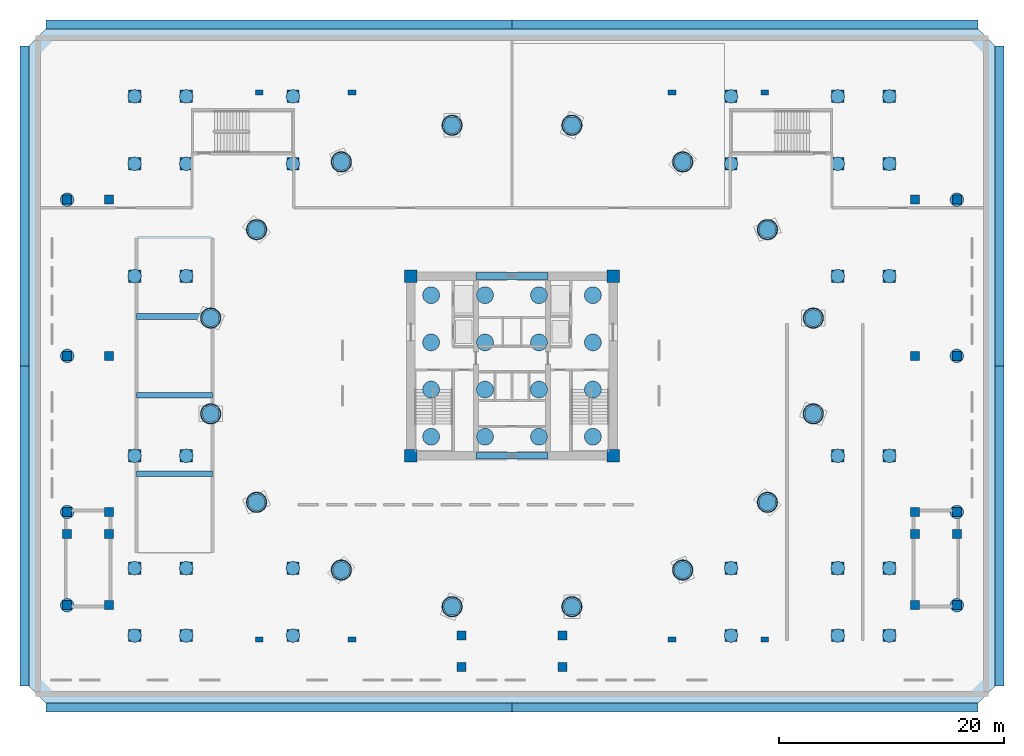
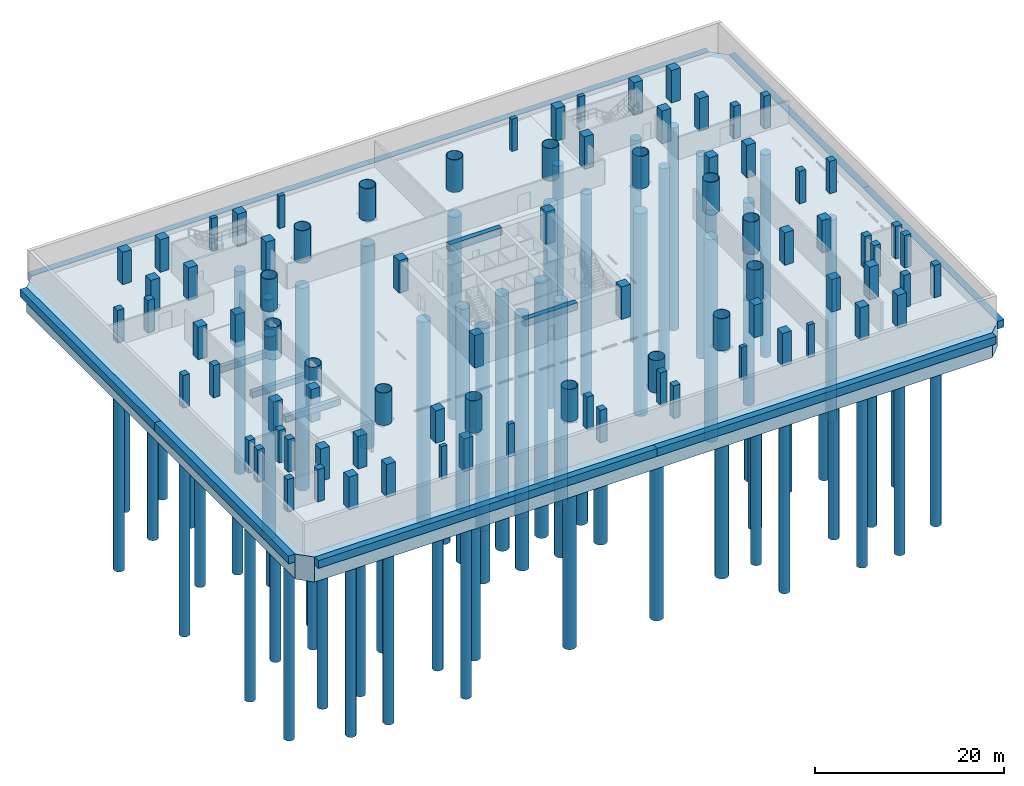
# One storey, part 1 of 11: 84 columns, 72 piles, 9 footings, 5 beams.
"""IFC4 building model written with IfcOpenShell, lengths in metres."""

from ifc_helpers import new_model, si_unit, direction, frame, origin, origin_2d, place, context, subcontext, project, spatial, polyline, rectangle, circle, hollow_circle, outline, extrude, material, material_profile, profile_set, type_object, element, save


model = new_model("IFC4")

# Units and contexts
model_context = context("Model", 3, precision=1e-05, world=origin(), true_north=direction((-0.2419218956, 0.970295726276)))
body_context = subcontext(model_context, "Body", "Model", "MODEL_VIEW")
ifc_project = project(units=[si_unit("LENGTHUNIT", "METRE"), si_unit("AREAUNIT", "SQUARE_METRE"), si_unit("VOLUMEUNIT", "CUBIC_METRE"), si_unit("PLANEANGLEUNIT", "RADIAN"), si_unit("MASSUNIT", "GRAM", prefix="KILO")], contexts=[model_context])

# Site, building, storey
site_placement = place(None, origin())
site = spatial("IfcSite", under=ifc_project, at=site_placement, CompositionType="ELEMENT")
building_placement = place(site_placement, origin())
building = spatial("IfcBuilding", under=site, at=building_placement, Name="Cobrevalo Terracotta Tower", CompositionType="ELEMENT")
storey_placement = place(building_placement, frame((0.0, 0.0, -8.39990234375)))
storey = spatial("IfcBuildingStorey", under=building, at=storey_placement, Name="B02", CompositionType="ELEMENT", Elevation=-8.39990234375)

# Piles
ifc_material_1 = material(Name="Concrete C50", Category="concrete")
ifc_material_profile_1 = material_profile(ifc_material_1, circle(Radius=0.60009765625, at=origin_2d()), Name="PILE D1200")
ifc_profile_set_1 = profile_set([ifc_material_profile_1], Name="Concrete C50")
pile_type_1 = type_object("IfcPileType", Name="Bored Pile D1200 C50", PredefinedType="BORED", material=ifc_profile_set_1)
for number, where, z_axis, x_axis, name in (
    (1, (4.39990234375, 2.800048828125, -3.35009765625), (0.0, 0.0, -1.0), (1.0, 0.0, 0.0), "Rock-socketed bored pile P033"),
    (2, (4.39990234375, 8.800048828125, -3.35009765625), (0.0, 0.0, -1.0), (1.0, 0.0, 0.0), "Rock-socketed bored pile P034"),
    (3, (4.39990234375, 18.800048828125, -3.35009765625), (0.0, 0.0, -1.0), (1.0, 0.0, 0.0), "Rock-socketed bored pile P035"),
    (4, (4.39990234375, 34.800048828125, -3.35009765625), (0.0, 0.0, -1.0), (1.0, 0.0, 0.0), "Rock-socketed bored pile P036"),
    (5, (4.39990234375, 44.800048828125, -3.35009765625), (0.0, 0.0, -1.0), (1.0, 0.0, 0.0), "Rock-socketed bored pile P037"),
    (6, (4.39990234375, 50.800048828125, -3.35009765625), (0.0, 0.0, -1.0), (1.0, 0.0, 0.0), "Rock-socketed bored pile P038"),
    (7, (9.0, 2.800048828125, -3.35009765625), (0.0, 0.0, -1.0), (1.0, 0.0, 0.0), "Rock-socketed bored pile P039"),
    (8, (9.0, 8.800048828125, -3.35009765625), (0.0, 0.0, -1.0), (1.0, 0.0, 0.0), "Rock-socketed bored pile P040"),
    (9, (9.0, 18.800048828125, -3.35009765625), (0.0, 0.0, -1.0), (1.0, 0.0, 0.0), "Rock-socketed bored pile P041"),
    (10, (9.0, 34.800048828125, -3.35009765625), (0.0, 0.0, -1.0), (1.0, 0.0, 0.0), "Rock-socketed bored pile P042"),
    (11, (9.0, 44.800048828125, -3.35009765625), (0.0, 0.0, -1.0), (1.0, 0.0, 0.0), "Rock-socketed bored pile P043"),
    (12, (9.0, 50.800048828125, -3.35009765625), (0.0, 0.0, -1.0), (1.0, 0.0, 0.0), "Rock-socketed bored pile P044"),
    (13, (18.5, 2.800048828125, -3.35009765625), (0.0, 0.0, -1.0), (1.0, 0.0, 0.0), "Rock-socketed bored pile P045"),
    (14, (18.5, 8.800048828125, -3.35009765625), (0.0, 0.0, -1.0), (1.0, 0.0, 0.0), "Rock-socketed bored pile P046"),
    (15, (18.5, 44.800048828125, -3.35009765625), (0.0, 0.0, -1.0), (1.0, 0.0, 0.0), "Rock-socketed bored pile P047"),
    (16, (18.5, 50.800048828125, -3.35009765625), (0.0, 0.0, -1.0), (1.0, 0.0, 0.0), "Rock-socketed bored pile P048"),
    (17, (57.5, 2.800048828125, -3.35009765625), (0.0, 0.0, -1.0), (1.0, 0.0, 0.0), "Rock-socketed bored pile P049"),
    (18, (57.5, 8.800048828125, -3.35009765625), (0.0, 0.0, -1.0), (1.0, 0.0, 0.0), "Rock-socketed bored pile P050"),
    (19, (57.5, 44.800048828125, -3.35009765625), (0.0, 0.0, -1.0), (1.0, 0.0, 0.0), "Rock-socketed bored pile P051"),
    (20, (57.5, 50.800048828125, -3.35009765625), (0.0, 0.0, -1.0), (1.0, 0.0, 0.0), "Rock-socketed bored pile P052"),
    (21, (67.0, 2.800048828125, -3.35009765625), (0.0, 0.0, -1.0), (1.0, 0.0, 0.0), "Rock-socketed bored pile P053"),
    (22, (67.0, 8.800048828125, -3.35009765625), (0.0, 0.0, -1.0), (1.0, 0.0, 0.0), "Rock-socketed bored pile P054"),
    (23, (67.0, 18.800048828125, -3.35009765625), (0.0, 0.0, -1.0), (1.0, 0.0, 0.0), "Rock-socketed bored pile P055"),
    (24, (67.0, 34.800048828125, -3.35009765625), (0.0, 0.0, -1.0), (1.0, 0.0, 0.0), "Rock-socketed bored pile P056"),
    (25, (67.0, 44.800048828125, -3.35009765625), (0.0, 0.0, -1.0), (1.0, 0.0, 0.0), "Rock-socketed bored pile P057"),
    (26, (67.0, 50.800048828125, -3.35009765625), (0.0, 0.0, -1.0), (1.0, 0.0, 0.0), "Rock-socketed bored pile P058"),
    (27, (71.60009765625, 2.800048828125, -3.35009765625), (0.0, 0.0, -1.0), (1.0, 0.0, 0.0), "Rock-socketed bored pile P059"),
    (28, (71.60009765625, 8.800048828125, -3.35009765625), (0.0, 0.0, -1.0), (1.0, 0.0, 0.0), "Rock-socketed bored pile P060"),
    (29, (71.60009765625, 18.800048828125, -3.35009765625), (0.0, 0.0, -1.0), (1.0, 0.0, 0.0), "Rock-socketed bored pile P061"),
    (30, (71.60009765625, 34.800048828125, -3.35009765625), (0.0, 0.0, -1.0), (1.0, 0.0, 0.0), "Rock-socketed bored pile P062"),
    (31, (71.60009765625, 44.800048828125, -3.35009765625), (0.0, 0.0, -1.0), (1.0, 0.0, 0.0), "Rock-socketed bored pile P063"),
    (32, (71.60009765625, 50.800048828125, -3.35009765625), (0.0, 0.0, -1.0), (1.0, 0.0, 0.0), "Rock-socketed bored pile P064"),
    (33, (-1.60009765625, 5.5, -3.35009765625), (0.0, 0.0, -1.0), (1.0, 0.0, 0.0), "Rock-socketed bored pile P065"),
    (34, (-1.60009765625, 13.800048828125, -3.35009765625), (0.0, 0.0, -1.0), (1.0, 0.0, 0.0), "Rock-socketed bored pile P066"),
    (35, (-1.60009765625, 27.699951171875, -3.35009765625), (0.0, 0.0, -1.0), (1.0, 0.0, 0.0), "Rock-socketed bored pile P067"),
    (36, (-1.60009765625, 41.60009765625, -3.35009765625), (0.0, 0.0, -1.0), (1.0, 0.0, 0.0), "Rock-socketed bored pile P068"),
    (37, (77.60009765625, 5.5, -3.35009765625), (0.0, 0.0, -1.0), (1.0, 0.0, 0.0), "Rock-socketed bored pile P069"),
    (38, (77.60009765625, 13.800048828125, -3.35009765625), (0.0, 0.0, -1.0), (1.0, 0.0, 0.0), "Rock-socketed bored pile P070"),
    (39, (77.60009765625, 27.699951171875, -3.35009765625), (0.0, 0.0, -1.0), (1.0, 0.0, 0.0), "Rock-socketed bored pile P071"),
    (40, (77.60009765625, 41.60009765625, -3.35009765625), (0.0, 0.0, -1.0), (1.0, 0.0, 0.0), "Rock-socketed bored pile P072"),
):
    element("IfcPile", number, at=place(storey_placement, frame(where, z_axis=z_axis, x_axis=x_axis)), inside=storey, type_object=pile_type_1, Name=name, PredefinedType="BORED", context=body_context, shape_type="SweptSolid", body=[
        extrude(circle(Radius=0.60009765625, at=origin_2d()), origin(), (0.0, 0.0, 1.0), 26.25),
    ])
ifc_material_profile_2 = material_profile(ifc_material_1, circle(Radius=0.75, at=origin_2d()), Name="PILE D1500")
ifc_profile_set_2 = profile_set([ifc_material_profile_2], Name="Concrete C50")
pile_type_2 = type_object("IfcPileType", Name="Bored Pile D1500 C50", PredefinedType="BORED", material=ifc_profile_set_2)
for number, where, z_axis, x_axis, name in (
    (41, (30.800048828125, 20.5, -3.35009765625), (0.0, 0.0, -1.0), (1.0, 0.0, 0.0), "Rock-socketed bored pile P001"),
    (42, (30.800048828125, 24.699951171875, -3.35009765625), (0.0, 0.0, -1.0), (1.0, 0.0, 0.0), "Rock-socketed bored pile P002"),
    (43, (30.800048828125, 28.89990234375, -3.35009765625), (0.0, 0.0, -1.0), (1.0, 0.0, 0.0), "Rock-socketed bored pile P003"),
    (44, (30.800048828125, 33.10009765625, -3.35009765625), (0.0, 0.0, -1.0), (1.0, 0.0, 0.0), "Rock-socketed bored pile P004"),
    (45, (35.60009765625, 20.5, -3.35009765625), (0.0, 0.0, -1.0), (1.0, 0.0, 0.0), "Rock-socketed bored pile P005"),
    (46, (35.60009765625, 24.699951171875, -3.35009765625), (0.0, 0.0, -1.0), (1.0, 0.0, 0.0), "Rock-socketed bored pile P006"),
    (47, (35.60009765625, 28.89990234375, -3.35009765625), (0.0, 0.0, -1.0), (1.0, 0.0, 0.0), "Rock-socketed bored pile P007"),
    (48, (35.60009765625, 33.10009765625, -3.35009765625), (0.0, 0.0, -1.0), (1.0, 0.0, 0.0), "Rock-socketed bored pile P008"),
    (49, (40.39990234375, 20.5, -3.35009765625), (0.0, 0.0, -1.0), (1.0, 0.0, 0.0), "Rock-socketed bored pile P009"),
    (50, (40.39990234375, 24.699951171875, -3.35009765625), (0.0, 0.0, -1.0), (1.0, 0.0, 0.0), "Rock-socketed bored pile P010"),
    (51, (40.39990234375, 28.89990234375, -3.35009765625), (0.0, 0.0, -1.0), (1.0, 0.0, 0.0), "Rock-socketed bored pile P011"),
    (52, (40.39990234375, 33.10009765625, -3.35009765625), (0.0, 0.0, -1.0), (1.0, 0.0, 0.0), "Rock-socketed bored pile P012"),
    (53, (45.199951171875, 20.5, -3.35009765625), (0.0, 0.0, -1.0), (1.0, 0.0, 0.0), "Rock-socketed bored pile P013"),
    (54, (45.199951171875, 24.699951171875, -3.35009765625), (0.0, 0.0, -1.0), (1.0, 0.0, 0.0), "Rock-socketed bored pile P014"),
    (55, (45.199951171875, 28.89990234375, -3.35009765625), (0.0, 0.0, -1.0), (1.0, 0.0, 0.0), "Rock-socketed bored pile P015"),
    (56, (45.199951171875, 33.10009765625, -3.35009765625), (0.0, 0.0, -1.0), (1.0, 0.0, 0.0), "Rock-socketed bored pile P016"),
    (57, (64.824462890625, 31.062744140625, -3.35009765625), (0.0, 0.0, -1.0), (1.0, 0.0, 0.0), "Rock-socketed bored pile P017"),
    (58, (60.74072265625, 38.939208984375, -3.35009765625), (0.0, 0.0, -1.0), (1.0, 0.0, 0.0), "Rock-socketed bored pile P018"),
    (59, (53.19482421875, 44.967529296875, -3.35009765625), (0.0, 0.0, -1.0), (1.0, 0.0, 0.0), "Rock-socketed bored pile P019"),
    (60, (43.335693359375, 48.230224609375, -3.35009765625), (0.0, 0.0, -1.0), (1.0, 0.0, 0.0), "Rock-socketed bored pile P020"),
    (61, (32.664306640625, 48.230224609375, -3.35009765625), (0.0, 0.0, -1.0), (1.0, 0.0, 0.0), "Rock-socketed bored pile P021"),
    (62, (22.80517578125, 44.967529296875, -3.35009765625), (0.0, 0.0, -1.0), (1.0, 0.0, 0.0), "Rock-socketed bored pile P022"),
    (63, (15.25927734375, 38.939208984375, -3.35009765625), (0.0, 0.0, -1.0), (1.0, 0.0, 0.0), "Rock-socketed bored pile P023"),
    (64, (11.175537109375, 31.062744140625, -3.35009765625), (0.0, 0.0, -1.0), (1.0, 0.0, 0.0), "Rock-socketed bored pile P024"),
    (65, (11.175537109375, 22.537353515625, -3.35009765625), (0.0, 0.0, -1.0), (1.0, 0.0, 0.0), "Rock-socketed bored pile P025"),
    (66, (15.25927734375, 14.660888671875, -3.35009765625), (0.0, 0.0, -1.0), (1.0, 0.0, 0.0), "Rock-socketed bored pile P026"),
    (67, (22.80517578125, 8.63232421875, -3.35009765625), (0.0, 0.0, -1.0), (1.0, 0.0, 0.0), "Rock-socketed bored pile P027"),
    (68, (32.664306640625, 5.369873046875, -3.35009765625), (0.0, 0.0, -1.0), (1.0, 0.0, 0.0), "Rock-socketed bored pile P028"),
    (69, (43.335693359375, 5.369873046875, -3.35009765625), (0.0, 0.0, -1.0), (1.0, 0.0, 0.0), "Rock-socketed bored pile P029"),
    (70, (53.19482421875, 8.63232421875, -3.35009765625), (0.0, 0.0, -1.0), (1.0, 0.0, 0.0), "Rock-socketed bored pile P030"),
    (71, (60.74072265625, 14.660888671875, -3.35009765625), (0.0, 0.0, -1.0), (1.0, 0.0, 0.0), "Rock-socketed bored pile P031"),
    (72, (64.824462890625, 22.537353515625, -3.35009765625), (0.0, 0.0, -1.0), (1.0, 0.0, 0.0), "Rock-socketed bored pile P032"),
):
    element("IfcPile", number, at=place(storey_placement, frame(where, z_axis=z_axis, x_axis=x_axis)), inside=storey, type_object=pile_type_2, Name=name, PredefinedType="BORED", context=body_context, shape_type="SweptSolid", body=[
        extrude(circle(Radius=0.75, at=origin_2d()), origin(), (0.0, 0.0, 1.0), 26.25),
    ])

# Footings
footing_type_1 = type_object("IfcFootingType", Name="Perimeter Ground Tie Beam 800x1000", PredefinedType="FOOTING_BEAM", material=ifc_material_1)
footing_1_placement = place(storey_placement, frame((0.0, 0.0, -1.25)))
element("IfcFooting", 73, at=footing_1_placement, inside=storey, type_object=footing_type_1, Name="Perimeter tie ground beam GB-S1", PredefinedType="FOOTING_BEAM", context=body_context, shape_type="SweptSolid", body=[
    extrude(outline(polyline([(-3.5, -4.0), (38.0, -4.0), (38.0, -3.199951171875), (-3.5, -3.199951171875), (-3.5, -4.0)])), origin(), (0.0, 0.0, 1.0), 1.0),
])
footing_2_placement = place(storey_placement, frame((0.0, 0.0, -1.25)))
element("IfcFooting", 74, at=footing_2_placement, inside=storey, type_object=footing_type_1, Name="Perimeter tie ground beam GB-S2", PredefinedType="FOOTING_BEAM", context=body_context, shape_type="SweptSolid", body=[
    extrude(outline(polyline([(38.0, -4.0), (79.5, -4.0), (79.5, -3.199951171875), (38.0, -3.199951171875), (38.0, -4.0)])), origin(), (0.0, 0.0, 1.0), 1.0),
])
footing_3_placement = place(storey_placement, frame((0.0, 0.0, -1.25)))
element("IfcFooting", 75, at=footing_3_placement, inside=storey, type_object=footing_type_1, Name="Perimeter tie ground beam GB-N1", PredefinedType="FOOTING_BEAM", context=body_context, shape_type="SweptSolid", body=[
    extrude(outline(polyline([(-3.5, 56.800048828125), (38.0, 56.800048828125), (38.0, 57.60009765625), (-3.5, 57.60009765625), (-3.5, 56.800048828125)])), origin(), (0.0, 0.0, 1.0), 1.0),
])
footing_4_placement = place(storey_placement, frame((0.0, 0.0, -1.25)))
element("IfcFooting", 76, at=footing_4_placement, inside=storey, type_object=footing_type_1, Name="Perimeter tie ground beam GB-N2", PredefinedType="FOOTING_BEAM", context=body_context, shape_type="SweptSolid", body=[
    extrude(outline(polyline([(38.0, 56.800048828125), (79.5, 56.800048828125), (79.5, 57.60009765625), (38.0, 57.60009765625), (38.0, 56.800048828125)])), origin(), (0.0, 0.0, 1.0), 1.0),
])
footing_5_placement = place(storey_placement, frame((0.0, 0.0, -1.25)))
element("IfcFooting", 77, at=footing_5_placement, inside=storey, type_object=footing_type_1, Name="Perimeter tie ground beam GB-W1", PredefinedType="FOOTING_BEAM", context=body_context, shape_type="SweptSolid", body=[
    extrude(outline(polyline([(-5.800048828125, -1.699951171875), (-5.0, -1.699951171875), (-5.0, 26.800048828125), (-5.800048828125, 26.800048828125), (-5.800048828125, -1.699951171875)])), origin(), (0.0, 0.0, 1.0), 1.0),
])
footing_6_placement = place(storey_placement, frame((0.0, 0.0, -1.25)))
element("IfcFooting", 78, at=footing_6_placement, inside=storey, type_object=footing_type_1, Name="Perimeter tie ground beam GB-W2", PredefinedType="FOOTING_BEAM", context=body_context, shape_type="SweptSolid", body=[
    extrude(outline(polyline([(-5.800048828125, 26.800048828125), (-5.0, 26.800048828125), (-5.0, 55.300048828125), (-5.800048828125, 55.300048828125), (-5.800048828125, 26.800048828125)])), origin(), (0.0, 0.0, 1.0), 1.0),
])
footing_7_placement = place(storey_placement, frame((0.0, 0.0, -1.25)))
element("IfcFooting", 79, at=footing_7_placement, inside=storey, type_object=footing_type_1, Name="Perimeter tie ground beam GB-E1", PredefinedType="FOOTING_BEAM", context=body_context, shape_type="SweptSolid", body=[
    extrude(outline(polyline([(81.0, -1.699951171875), (81.800048828125, -1.699951171875), (81.800048828125, 26.800048828125), (81.0, 26.800048828125), (81.0, -1.699951171875)])), origin(), (0.0, 0.0, 1.0), 1.0),
])
footing_8_placement = place(storey_placement, frame((0.0, 0.0, -1.25)))
element("IfcFooting", 80, at=footing_8_placement, inside=storey, type_object=footing_type_1, Name="Perimeter tie ground beam GB-E2", PredefinedType="FOOTING_BEAM", context=body_context, shape_type="SweptSolid", body=[
    extrude(outline(polyline([(81.0, 26.800048828125), (81.800048828125, 26.800048828125), (81.800048828125, 55.300048828125), (81.0, 55.300048828125), (81.0, 26.800048828125)])), origin(), (0.0, 0.0, 1.0), 1.0),
])
footing_type_2 = type_object("IfcFootingType", Name="Piled Raft Foundation 3250", PredefinedType="PILE_CAP", material=ifc_material_1)
footing_9_placement = place(storey_placement, frame((0.0, 0.0, -3.5)))
element("IfcFooting", 81, at=footing_9_placement, inside=storey, type_object=footing_type_2, Name="Monolithic piled raft foundation B02", PredefinedType="PILE_CAP", context=body_context, shape_type="SweptSolid", body=[
    extrude(outline(polyline([(-3.5, -3.199951171875), (79.5, -3.199951171875), (81.0, -1.699951171875), (81.0, 55.300048828125), (79.5, 56.800048828125), (-3.5, 56.800048828125), (-5.0, 55.300048828125), (-5.0, -1.699951171875), (-3.5, -3.199951171875)])), origin(), (0.0, 0.0, 1.0), 3.25),
])

# Columns
ifc_material_2 = material(Name="Steel S355", Category="steel")
ifc_material_profile_3 = material_profile(ifc_material_2, hollow_circle(Radius=0.89990234375, WallThickness=0.054931640625, at=origin_2d()), Name="CHS 1800x55")
ifc_profile_set_3 = profile_set([ifc_material_profile_3], Name="Steel S355")
column_type_1 = type_object("IfcColumnType", Name="Structural Column CHS 1800x55 (Steel S355)", PredefinedType="COLUMN", material=ifc_profile_set_3)
for number, where, z_axis, x_axis, name in (
    (82, (64.824462890625, 31.062744140625, 0.0), (0.0, 0.0, 1.0), (1.0, 0.0, 0.0), "B02 composite megacolumn MC01"),
    (83, (60.74072265625, 38.939208984375, 0.0), (0.0, 0.0, 1.0), (1.0, 0.0, 0.0), "B02 composite megacolumn MC02"),
    (84, (53.19482421875, 44.967529296875, 0.0), (0.0, 0.0, 1.0), (1.0, 0.0, 0.0), "B02 composite megacolumn MC03"),
    (85, (43.335693359375, 48.230224609375, 0.0), (0.0, 0.0, 1.0), (1.0, 0.0, 0.0), "B02 composite megacolumn MC04"),
    (86, (32.664306640625, 48.230224609375, 0.0), (0.0, 0.0, 1.0), (1.0, 0.0, 0.0), "B02 composite megacolumn MC05"),
    (87, (22.80517578125, 44.967529296875, 0.0), (0.0, 0.0, 1.0), (1.0, 0.0, 0.0), "B02 composite megacolumn MC06"),
    (88, (15.25927734375, 38.939208984375, 0.0), (0.0, 0.0, 1.0), (1.0, 0.0, 0.0), "B02 composite megacolumn MC07"),
    (89, (11.175537109375, 31.062744140625, 0.0), (0.0, 0.0, 1.0), (1.0, 0.0, 0.0), "B02 composite megacolumn MC08"),
    (90, (11.175537109375, 22.537353515625, 0.0), (0.0, 0.0, 1.0), (1.0, 0.0, 0.0), "B02 composite megacolumn MC09"),
    (91, (15.25927734375, 14.660888671875, 0.0), (0.0, 0.0, 1.0), (1.0, 0.0, 0.0), "B02 composite megacolumn MC10"),
    (92, (22.80517578125, 8.63232421875, 0.0), (0.0, 0.0, 1.0), (1.0, 0.0, 0.0), "B02 composite megacolumn MC11"),
    (93, (32.664306640625, 5.369873046875, 0.0), (0.0, 0.0, 1.0), (1.0, 0.0, 0.0), "B02 composite megacolumn MC12"),
    (94, (43.335693359375, 5.369873046875, 0.0), (0.0, 0.0, 1.0), (1.0, 0.0, 0.0), "B02 composite megacolumn MC13"),
    (95, (53.19482421875, 8.63232421875, 0.0), (0.0, 0.0, 1.0), (1.0, 0.0, 0.0), "B02 composite megacolumn MC14"),
    (96, (60.74072265625, 14.660888671875, 0.0), (0.0, 0.0, 1.0), (1.0, 0.0, 0.0), "B02 composite megacolumn MC15"),
    (97, (64.824462890625, 22.537353515625, 0.0), (0.0, 0.0, 1.0), (1.0, 0.0, 0.0), "B02 composite megacolumn MC16"),
):
    element("IfcColumn", number, at=place(storey_placement, frame(where, z_axis=z_axis, x_axis=x_axis)), inside=storey, type_object=column_type_1, Name=name, PredefinedType="COLUMN", context=body_context, shape_type="SweptSolid", body=[
        extrude(hollow_circle(Radius=0.89990234375, WallThickness=0.054931640625, at=origin_2d()), origin(), (0.0, 0.0, 1.0), 4.199951171875),
    ])
ifc_material_3 = material(Name="Concrete C60", Category="concrete")
ifc_material_profile_4 = material_profile(ifc_material_3, rectangle(XDim=1.10009765625, YDim=1.10009765625, at=origin_2d()), Name="RC COL 1100x1100")
ifc_profile_set_4 = profile_set([ifc_material_profile_4], Name="Concrete C60")
column_type_2 = type_object("IfcColumnType", Name="Structural Column RC COL 1100x1100 (Concrete C60)", PredefinedType="COLUMN", material=ifc_profile_set_4)
for number, where, z_axis, x_axis, name in (
    (98, (29.0, 18.800048828125, 0.0), (0.0, 0.0, 1.0), (1.0, 0.0, 0.0), "B02 core corner column CC1"),
    (99, (47.0, 18.800048828125, 0.0), (0.0, 0.0, 1.0), (1.0, 0.0, 0.0), "B02 core corner column CC2"),
    (100, (47.0, 34.800048828125, 0.0), (0.0, 0.0, 1.0), (1.0, 0.0, 0.0), "B02 core corner column CC3"),
    (101, (29.0, 34.800048828125, 0.0), (0.0, 0.0, 1.0), (1.0, 0.0, 0.0), "B02 core corner column CC4"),
    (102, (4.39990234375, 2.800048828125, 0.0), (0.0, 0.0, 1.0), (1.0, 0.0, 0.0), "B02 podium column G1-GA"),
    (103, (4.39990234375, 8.800048828125, 0.0), (0.0, 0.0, 1.0), (1.0, 0.0, 0.0), "B02 podium column G1-GB"),
    (104, (4.39990234375, 18.800048828125, 0.0), (0.0, 0.0, 1.0), (1.0, 0.0, 0.0), "B02 podium column G1-GC"),
    (105, (4.39990234375, 34.800048828125, 0.0), (0.0, 0.0, 1.0), (1.0, 0.0, 0.0), "B02 podium column G1-GE"),
    (106, (4.39990234375, 44.800048828125, 0.0), (0.0, 0.0, 1.0), (1.0, 0.0, 0.0), "B02 podium column G1-GF"),
    (107, (4.39990234375, 50.800048828125, 0.0), (0.0, 0.0, 1.0), (1.0, 0.0, 0.0), "B02 podium column G1-GG"),
    (108, (9.0, 2.800048828125, 0.0), (0.0, 0.0, 1.0), (1.0, 0.0, 0.0), "B02 podium column G2-GA"),
    (109, (9.0, 8.800048828125, 0.0), (0.0, 0.0, 1.0), (1.0, 0.0, 0.0), "B02 podium column G2-GB"),
    (110, (9.0, 18.800048828125, 0.0), (0.0, 0.0, 1.0), (1.0, 0.0, 0.0), "B02 podium column G2-GC"),
    (111, (9.0, 34.800048828125, 0.0), (0.0, 0.0, 1.0), (1.0, 0.0, 0.0), "B02 podium column G2-GE"),
    (112, (9.0, 44.800048828125, 0.0), (0.0, 0.0, 1.0), (1.0, 0.0, 0.0), "B02 podium column G2-GF"),
    (113, (9.0, 50.800048828125, 0.0), (0.0, 0.0, 1.0), (1.0, 0.0, 0.0), "B02 podium column G2-GG"),
    (114, (18.5, 2.800048828125, 0.0), (0.0, 0.0, 1.0), (1.0, 0.0, 0.0), "B02 podium column G3-GA"),
    (115, (18.5, 8.800048828125, 0.0), (0.0, 0.0, 1.0), (1.0, 0.0, 0.0), "B02 podium column G3-GB"),
    (116, (18.5, 44.800048828125, 0.0), (0.0, 0.0, 1.0), (1.0, 0.0, 0.0), "B02 podium column G3-GF"),
    (117, (18.5, 50.800048828125, 0.0), (0.0, 0.0, 1.0), (1.0, 0.0, 0.0), "B02 podium column G3-GG"),
    (118, (57.5, 2.800048828125, 0.0), (0.0, 0.0, 1.0), (1.0, 0.0, 0.0), "B02 podium column G7-GA"),
    (119, (57.5, 8.800048828125, 0.0), (0.0, 0.0, 1.0), (1.0, 0.0, 0.0), "B02 podium column G7-GB"),
    (120, (57.5, 44.800048828125, 0.0), (0.0, 0.0, 1.0), (1.0, 0.0, 0.0), "B02 podium column G7-GF"),
    (121, (57.5, 50.800048828125, 0.0), (0.0, 0.0, 1.0), (1.0, 0.0, 0.0), "B02 podium column G7-GG"),
    (122, (67.0, 2.800048828125, 0.0), (0.0, 0.0, 1.0), (1.0, 0.0, 0.0), "B02 podium column G8-GA"),
    (123, (67.0, 8.800048828125, 0.0), (0.0, 0.0, 1.0), (1.0, 0.0, 0.0), "B02 podium column G8-GB"),
    (124, (67.0, 18.800048828125, 0.0), (0.0, 0.0, 1.0), (1.0, 0.0, 0.0), "B02 podium column G8-GC"),
    (125, (67.0, 34.800048828125, 0.0), (0.0, 0.0, 1.0), (1.0, 0.0, 0.0), "B02 podium column G8-GE"),
    (126, (67.0, 44.800048828125, 0.0), (0.0, 0.0, 1.0), (1.0, 0.0, 0.0), "B02 podium column G8-GF"),
    (127, (67.0, 50.800048828125, 0.0), (0.0, 0.0, 1.0), (1.0, 0.0, 0.0), "B02 podium column G8-GG"),
    (128, (71.60009765625, 2.800048828125, 0.0), (0.0, 0.0, 1.0), (1.0, 0.0, 0.0), "B02 podium column G9-GA"),
    (129, (71.60009765625, 8.800048828125, 0.0), (0.0, 0.0, 1.0), (1.0, 0.0, 0.0), "B02 podium column G9-GB"),
    (130, (71.60009765625, 18.800048828125, 0.0), (0.0, 0.0, 1.0), (1.0, 0.0, 0.0), "B02 podium column G9-GC"),
    (131, (71.60009765625, 34.800048828125, 0.0), (0.0, 0.0, 1.0), (1.0, 0.0, 0.0), "B02 podium column G9-GE"),
    (132, (71.60009765625, 44.800048828125, 0.0), (0.0, 0.0, 1.0), (1.0, 0.0, 0.0), "B02 podium column G9-GF"),
    (133, (71.60009765625, 50.800048828125, 0.0), (0.0, 0.0, 1.0), (1.0, 0.0, 0.0), "B02 podium column G9-GG"),
):
    element("IfcColumn", number, at=place(storey_placement, frame(where, z_axis=z_axis, x_axis=x_axis)), inside=storey, type_object=column_type_2, Name=name, PredefinedType="COLUMN", context=body_context, shape_type="SweptSolid", body=[
        extrude(rectangle(XDim=1.10009765625, YDim=1.10009765625, at=origin_2d()), origin(), (0.0, 0.0, 1.0), 4.199951171875),
    ])
ifc_material_profile_5 = material_profile(ifc_material_1, rectangle(XDim=0.800048828125, YDim=0.800048828125, at=origin_2d()), Name="RC COL 800x800")
ifc_profile_set_5 = profile_set([ifc_material_profile_5], Name="Concrete C50")
column_type_3 = type_object("IfcColumnType", Name="Structural Column RC COL 800x800 (Concrete C50)", PredefinedType="COLUMN", material=ifc_profile_set_5)
for number, where, z_axis, x_axis, name in (
    (134, (-1.60009765625, 5.5, 0.0), (0.0, 0.0, 1.0), (1.0, 0.0, 0.0), "B02 garden wing column W11"),
    (135, (2.1201171875, 5.5, 0.0), (0.0, 0.0, 1.0), (1.0, 0.0, 0.0), "B02 garden wing column W21"),
    (136, (-1.60009765625, 11.85009765625, 0.0), (0.0, 0.0, 1.0), (1.0, 0.0, 0.0), "B02 garden wing column W12"),
    (137, (2.1201171875, 11.85009765625, 0.0), (0.0, 0.0, 1.0), (1.0, 0.0, 0.0), "B02 garden wing column W22"),
    (138, (-1.60009765625, 13.800048828125, 0.0), (0.0, 0.0, 1.0), (1.0, 0.0, 0.0), "B02 garden wing column W13"),
    (139, (2.1201171875, 13.800048828125, 0.0), (0.0, 0.0, 1.0), (1.0, 0.0, 0.0), "B02 garden wing column W23"),
    (140, (-1.60009765625, 27.699951171875, 0.0), (0.0, 0.0, 1.0), (1.0, 0.0, 0.0), "B02 garden wing column W14"),
    (141, (2.1201171875, 27.699951171875, 0.0), (0.0, 0.0, 1.0), (1.0, 0.0, 0.0), "B02 garden wing column W24"),
    (142, (-1.60009765625, 41.60009765625, 0.0), (0.0, 0.0, 1.0), (1.0, 0.0, 0.0), "B02 garden wing column W15"),
    (143, (2.1201171875, 41.60009765625, 0.0), (0.0, 0.0, 1.0), (1.0, 0.0, 0.0), "B02 garden wing column W25"),
    (144, (73.8798828125, 5.5, 0.0), (0.0, 0.0, 1.0), (1.0, 0.0, 0.0), "B02 garden wing column E11"),
    (145, (77.60009765625, 5.5, 0.0), (0.0, 0.0, 1.0), (1.0, 0.0, 0.0), "B02 garden wing column E21"),
    (146, (73.8798828125, 11.85009765625, 0.0), (0.0, 0.0, 1.0), (1.0, 0.0, 0.0), "B02 garden wing column E12"),
    (147, (77.60009765625, 11.85009765625, 0.0), (0.0, 0.0, 1.0), (1.0, 0.0, 0.0), "B02 garden wing column E22"),
    (148, (73.8798828125, 13.800048828125, 0.0), (0.0, 0.0, 1.0), (1.0, 0.0, 0.0), "B02 garden wing column E13"),
    (149, (77.60009765625, 13.800048828125, 0.0), (0.0, 0.0, 1.0), (1.0, 0.0, 0.0), "B02 garden wing column E23"),
    (150, (73.8798828125, 27.699951171875, 0.0), (0.0, 0.0, 1.0), (1.0, 0.0, 0.0), "B02 garden wing column E14"),
    (151, (77.60009765625, 27.699951171875, 0.0), (0.0, 0.0, 1.0), (1.0, 0.0, 0.0), "B02 garden wing column E24"),
    (152, (73.8798828125, 41.60009765625, 0.0), (0.0, 0.0, 1.0), (1.0, 0.0, 0.0), "B02 garden wing column E15"),
    (153, (77.60009765625, 41.60009765625, 0.0), (0.0, 0.0, 1.0), (1.0, 0.0, 0.0), "B02 garden wing column E25"),
    (154, (33.5, 0.0, 0.0), (0.0, 0.0, 1.0), (1.0, 0.0, 0.0), "B02 main entrance portal canopy column F1"),
    (155, (33.5, 2.800048828125, 0.0), (0.0, 0.0, 1.0), (1.0, 0.0, 0.0), "B02 main entrance portal canopy column R1"),
    (156, (42.5, 0.0, 0.0), (0.0, 0.0, 1.0), (1.0, 0.0, 0.0), "B02 main entrance portal canopy column F2"),
    (157, (42.5, 2.800048828125, 0.0), (0.0, 0.0, 1.0), (1.0, 0.0, 0.0), "B02 main entrance portal canopy column R2"),
):
    element("IfcColumn", number, at=place(storey_placement, frame(where, z_axis=z_axis, x_axis=x_axis)), inside=storey, type_object=column_type_3, Name=name, PredefinedType="COLUMN", context=body_context, shape_type="SweptSolid", body=[
        extrude(rectangle(XDim=0.800048828125, YDim=0.800048828125, at=origin_2d()), origin(), (0.0, 0.0, 1.0), 4.199951171875),
    ])
ifc_material_profile_6 = material_profile(ifc_material_1, rectangle(XDim=0.699951171875, YDim=0.449951171875, at=origin_2d()), Name="RC PIL 700x450")
ifc_profile_set_6 = profile_set([ifc_material_profile_6], Name="Concrete C50")
column_type_4 = type_object("IfcColumnType", Name="Structural Pilaster RC PIL 700x450 (Concrete C50)", PredefinedType="PILASTER", material=ifc_profile_set_6)
for number, where, z_axis, x_axis, name in (
    (158, (15.5, 2.449951171875, 0.0), (0.0, 0.0, 1.0), (1.0, 0.0, 0.0), "B02 brutalist perimeter pilaster S1"),
    (159, (15.5, 51.14990234375, 0.0), (0.0, 0.0, 1.0), (1.0, 0.0, 0.0), "B02 brutalist perimeter pilaster N1"),
    (160, (23.75, 2.449951171875, 0.0), (0.0, 0.0, 1.0), (1.0, 0.0, 0.0), "B02 brutalist perimeter pilaster S2"),
    (161, (23.75, 51.14990234375, 0.0), (0.0, 0.0, 1.0), (1.0, 0.0, 0.0), "B02 brutalist perimeter pilaster N2"),
    (162, (52.25, 2.449951171875, 0.0), (0.0, 0.0, 1.0), (1.0, 0.0, 0.0), "B02 brutalist perimeter pilaster S3"),
    (163, (52.25, 51.14990234375, 0.0), (0.0, 0.0, 1.0), (1.0, 0.0, 0.0), "B02 brutalist perimeter pilaster N3"),
    (164, (60.5, 2.449951171875, 0.0), (0.0, 0.0, 1.0), (1.0, 0.0, 0.0), "B02 brutalist perimeter pilaster S4"),
    (165, (60.5, 51.14990234375, 0.0), (0.0, 0.0, 1.0), (1.0, 0.0, 0.0), "B02 brutalist perimeter pilaster N4"),
):
    element("IfcColumn", number, at=place(storey_placement, frame(where, z_axis=z_axis, x_axis=x_axis)), inside=storey, type_object=column_type_4, Name=name, PredefinedType="PILASTER", context=body_context, shape_type="SweptSolid", body=[
        extrude(rectangle(XDim=0.699951171875, YDim=0.449951171875, at=origin_2d()), origin(), (0.0, 0.0, 1.0), 4.199951171875),
    ])

# Beams
ifc_material_profile_7 = material_profile(ifc_material_3, rectangle(XDim=0.60009765625, YDim=0.89990234375, at=origin_2d()), Name="RC CB 600x900")
ifc_profile_set_7 = profile_set([ifc_material_profile_7], Name="Concrete C60")
beam_type_1 = type_object("IfcBeamType", Name="Structural Beam RC CB 600x900 (Concrete C60)", PredefinedType="BEAM", material=ifc_profile_set_7)
for number, where, z_axis, x_axis, name in (
    (166, (34.800048828125, 18.800048828125, 3.429931640625), (1.0, 0.0, 0.0), (0.0, 1.0, 0.0), "B02 core coupling beam 1"),
    (167, (34.800048828125, 34.800048828125, 3.429931640625), (1.0, 0.0, 0.0), (0.0, 1.0, 0.0), "B02 core coupling beam 2"),
):
    element("IfcBeam", number, at=place(storey_placement, frame(where, z_axis=z_axis, x_axis=x_axis)), inside=storey, type_object=beam_type_1, Name=name, PredefinedType="BEAM", context=body_context, shape_type="SweptSolid", body=[
        extrude(rectangle(XDim=0.60009765625, YDim=0.89990234375, at=origin_2d()), origin(), (0.0, 0.0, 1.0), 6.39990234375),
    ])
ifc_material_profile_8 = material_profile(ifc_material_1, rectangle(XDim=0.5, YDim=0.75, at=origin_2d()), Name="RC BM 500x750")
ifc_profile_set_8 = profile_set([ifc_material_profile_8], Name="Concrete C50")
beam_type_2 = type_object("IfcBeamType", Name="Structural T Beam RC BM 500x750 (Concrete C50)", PredefinedType="T_BEAM", material=ifc_profile_set_8)
for number, where, z_axis, x_axis, name in (
    (168, (4.574951171875, 31.199951171875, 0.364013671875), (1.0, 0.0, 0.0), (0.0, 1.0, 0.0), "B02 vehicle ramp support beam 1"),
    (169, (4.574951171875, 24.199951171875, 1.414794921875), (1.0, 0.0, 0.0), (0.0, 1.0, 0.0), "B02 vehicle ramp support beam 2"),
    (170, (4.574951171875, 17.199951171875, 2.4658203125), (1.0, 0.0, 0.0), (0.0, 1.0, 0.0), "B02 vehicle ramp support beam 3"),
):
    element("IfcBeam", number, at=place(storey_placement, frame(where, z_axis=z_axis, x_axis=x_axis)), inside=storey, type_object=beam_type_2, Name=name, PredefinedType="T_BEAM", context=body_context, shape_type="SweptSolid", body=[
        extrude(rectangle(XDim=0.5, YDim=0.75, at=origin_2d()), origin(), (0.0, 0.0, 1.0), 6.75),
    ])

save(model, "model.ifc")
